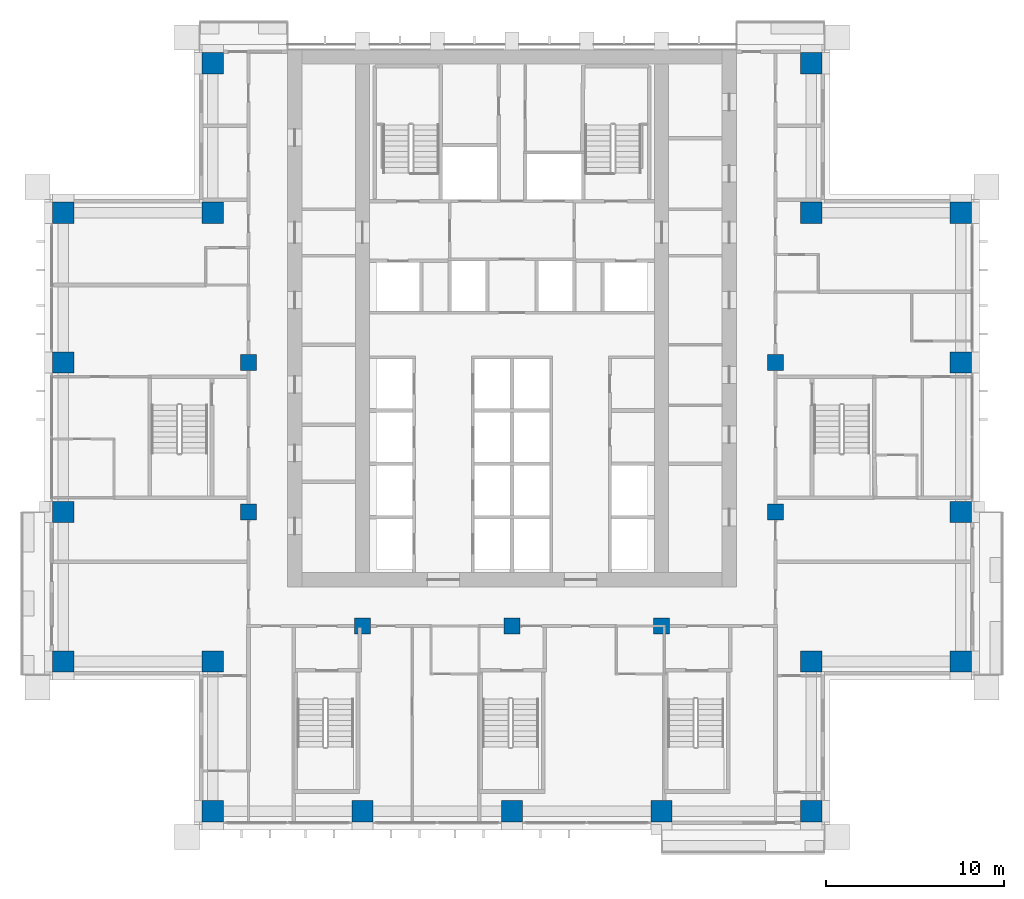
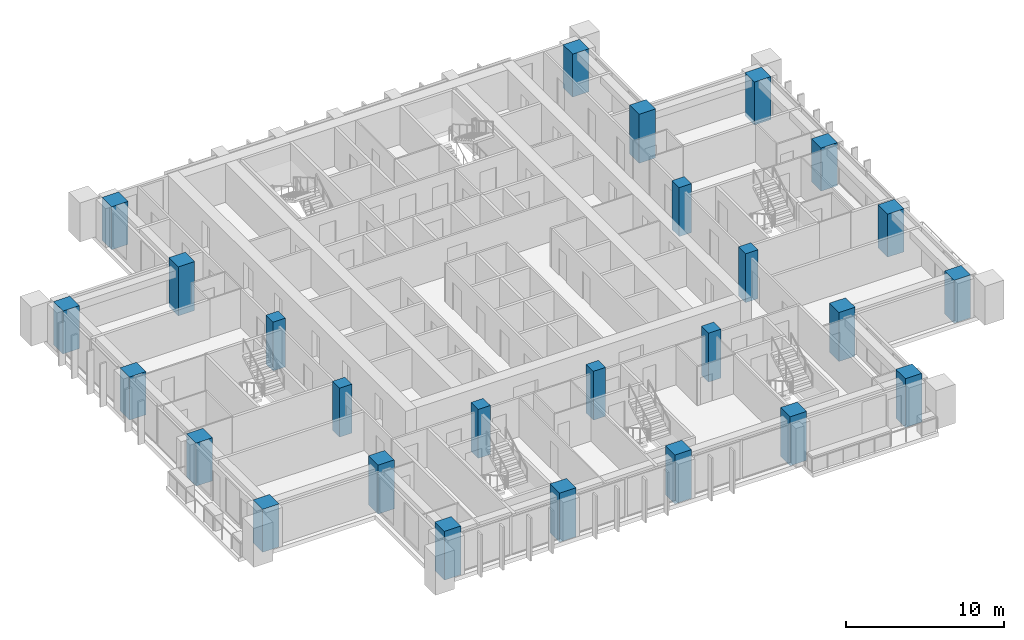
# One storey, part 1 of 21: 26 columns.
"""IFC4 building model written with IfcOpenShell, lengths in metres."""

from ifc_helpers import new_model, si_unit, direction, frame, origin, origin_2d, place, context, subcontext, project, spatial, rectangle, extrude, material, material_profile, profile_set, type_object, element, save


model = new_model("IFC4")

# Units and contexts
model_context = context("Model", 3, precision=1e-05, world=origin(), true_north=direction((0.0, 1.0)))
body_context = subcontext(model_context, "Body", "Model", "MODEL_VIEW")
ifc_project = project(units=[si_unit("LENGTHUNIT", "METRE"), si_unit("AREAUNIT", "SQUARE_METRE"), si_unit("VOLUMEUNIT", "CUBIC_METRE"), si_unit("PLANEANGLEUNIT", "RADIAN"), si_unit("MASSUNIT", "GRAM", prefix="KILO")], contexts=[model_context])

# Site, building, storey
site_placement = place(None, origin())
site = spatial("IfcSite", under=ifc_project, at=site_placement, CompositionType="ELEMENT")
building_placement = place(site_placement, origin())
building = spatial("IfcBuilding", under=site, at=building_placement, Name="Vermilion Ogive Tower", CompositionType="ELEMENT")
storey_placement = place(building_placement, frame((0.0, 0.0, 118.35009765625)))
storey = spatial("IfcBuildingStorey", under=building, at=storey_placement, Name="L30", CompositionType="ELEMENT", Elevation=118.35009765625)

# Columns
ifc_material_1 = material(Name="Concrete B80", Category="concrete")
ifc_material_profile_1 = material_profile(ifc_material_1, rectangle(XDim=1.199951171875, YDim=1.199951171875, at=origin_2d()), Name="1200 x 1200")
ifc_profile_set_1 = profile_set([ifc_material_profile_1], Name="Concrete B80")
column_type_1 = type_object("IfcColumnType", Name="Perimeter column 1200 x 1200 B80", PredefinedType="COLUMN", material=ifc_profile_set_1)
for number, where, z_axis, x_axis, name in (
    (1, (-16.800048828125, -21.0, -0.320068359375), (0.0, 0.0, 1.0), (1.0, 0.0, 0.0), "COL-L30-P-0168-210"),
    (2, (-8.39990234375, -21.0, -0.320068359375), (0.0, 0.0, 1.0), (1.0, 0.0, 0.0), "COL-L30-P-0084-210"),
    (3, (0.0, -21.0, -0.320068359375), (0.0, 0.0, 1.0), (1.0, 0.0, 0.0), "COL-L30-P+0000-210"),
    (4, (8.39990234375, -21.0, -0.320068359375), (0.0, 0.0, 1.0), (1.0, 0.0, 0.0), "COL-L30-P+0084-210"),
    (5, (16.800048828125, -21.0, -0.320068359375), (0.0, 0.0, 1.0), (1.0, 0.0, 0.0), "COL-L30-P+0168-210"),
):
    element("IfcColumn", number, at=place(storey_placement, frame(where, z_axis=z_axis, x_axis=x_axis)), inside=storey, type_object=column_type_1, Name=name, PredefinedType="COLUMN", context=body_context, shape_type="SweptSolid", body=[
        extrude(rectangle(XDim=1.199951171875, YDim=1.199951171875, at=origin_2d()), origin(), (0.0, 0.0, 1.0), 3.77001953125),
    ])
column_placement = place(storey_placement, frame((-25.199951171875, -12.60009765625, -0.320068359375), z_axis=(0.0, 0.0, 1.0), x_axis=(1.0, 0.0, 0.0)))
element("IfcColumn", 6, at=column_placement, inside=storey, type_object=column_type_1, Name="COL-L30-P-0252-126", PredefinedType="COLUMN", context=body_context, shape_type="SweptSolid", body=[
    extrude(rectangle(XDim=1.199951171875, YDim=1.199951171875, at=origin_2d()), origin(), (0.0, 0.0, 1.0), 3.320068359375),
])
for number, where, z_axis, x_axis, name in (
    (7, (-16.800048828125, -12.60009765625, -0.320068359375), (0.0, 0.0, 1.0), (1.0, 0.0, 0.0), "COL-L30-P-0168-126"),
    (8, (16.800048828125, -12.60009765625, -0.320068359375), (0.0, 0.0, 1.0), (1.0, 0.0, 0.0), "COL-L30-P+0168-126"),
):
    element("IfcColumn", number, at=place(storey_placement, frame(where, z_axis=z_axis, x_axis=x_axis)), inside=storey, type_object=column_type_1, Name=name, PredefinedType="COLUMN", context=body_context, shape_type="SweptSolid", body=[
        extrude(rectangle(XDim=1.199951171875, YDim=1.199951171875, at=origin_2d()), origin(), (0.0, 0.0, 1.0), 3.77001953125),
    ])
for number, where, z_axis, x_axis, name in (
    (9, (25.199951171875, -12.60009765625, -0.320068359375), (0.0, 0.0, 1.0), (1.0, 0.0, 0.0), "COL-L30-P+0252-126"),
    (10, (-25.199951171875, -4.199951171875, -0.320068359375), (0.0, 0.0, 1.0), (1.0, 0.0, 0.0), "COL-L30-P-0252-042"),
    (11, (25.199951171875, -4.199951171875, -0.320068359375), (0.0, 0.0, 1.0), (1.0, 0.0, 0.0), "COL-L30-P+0252-042"),
    (12, (-25.199951171875, 4.199951171875, -0.320068359375), (0.0, 0.0, 1.0), (1.0, 0.0, 0.0), "COL-L30-P-0252+042"),
    (13, (25.199951171875, 4.199951171875, -0.320068359375), (0.0, 0.0, 1.0), (1.0, 0.0, 0.0), "COL-L30-P+0252+042"),
    (14, (-25.199951171875, 12.60009765625, -0.320068359375), (0.0, 0.0, 1.0), (1.0, 0.0, 0.0), "COL-L30-P-0252+126"),
):
    element("IfcColumn", number, at=place(storey_placement, frame(where, z_axis=z_axis, x_axis=x_axis)), inside=storey, type_object=column_type_1, Name=name, PredefinedType="COLUMN", context=body_context, shape_type="SweptSolid", body=[
        extrude(rectangle(XDim=1.199951171875, YDim=1.199951171875, at=origin_2d()), origin(), (0.0, 0.0, 1.0), 3.320068359375),
    ])
for number, where, z_axis, x_axis, name in (
    (15, (-16.800048828125, 12.60009765625, -0.320068359375), (0.0, 0.0, 1.0), (1.0, 0.0, 0.0), "COL-L30-P-0168+126"),
    (16, (16.800048828125, 12.60009765625, -0.320068359375), (0.0, 0.0, 1.0), (1.0, 0.0, 0.0), "COL-L30-P+0168+126"),
):
    element("IfcColumn", number, at=place(storey_placement, frame(where, z_axis=z_axis, x_axis=x_axis)), inside=storey, type_object=column_type_1, Name=name, PredefinedType="COLUMN", context=body_context, shape_type="SweptSolid", body=[
        extrude(rectangle(XDim=1.199951171875, YDim=1.199951171875, at=origin_2d()), origin(), (0.0, 0.0, 1.0), 3.77001953125),
    ])
for number, where, z_axis, x_axis, name in (
    (17, (25.199951171875, 12.60009765625, -0.320068359375), (0.0, 0.0, 1.0), (1.0, 0.0, 0.0), "COL-L30-P+0252+126"),
    (18, (-16.800048828125, 21.0, -0.320068359375), (0.0, 0.0, 1.0), (1.0, 0.0, 0.0), "COL-L30-P-0168+210"),
    (19, (16.800048828125, 21.0, -0.320068359375), (0.0, 0.0, 1.0), (1.0, 0.0, 0.0), "COL-L30-P+0168+210"),
):
    element("IfcColumn", number, at=place(storey_placement, frame(where, z_axis=z_axis, x_axis=x_axis)), inside=storey, type_object=column_type_1, Name=name, PredefinedType="COLUMN", context=body_context, shape_type="SweptSolid", body=[
        extrude(rectangle(XDim=1.199951171875, YDim=1.199951171875, at=origin_2d()), origin(), (0.0, 0.0, 1.0), 3.320068359375),
    ])
ifc_material_2 = material(Name="Concrete B80", Category="concrete")
ifc_material_profile_2 = material_profile(ifc_material_2, rectangle(XDim=0.89990234375, YDim=0.89990234375, at=origin_2d()), Name="900 x 900")
ifc_profile_set_2 = profile_set([ifc_material_profile_2], Name="Concrete B80")
column_type_2 = type_object("IfcColumnType", Name="Ring column 900 x 900 B80", PredefinedType="COLUMN", material=ifc_profile_set_2)
for number, where, z_axis, x_axis, name in (
    (20, (-8.39990234375, -10.60009765625, -0.320068359375), (0.0, 0.0, 1.0), (1.0, 0.0, 0.0), "COL-L30-R-0084-106"),
    (21, (0.0, -10.60009765625, -0.320068359375), (0.0, 0.0, 1.0), (1.0, 0.0, 0.0), "COL-L30-R+0000-106"),
    (22, (8.39990234375, -10.60009765625, -0.320068359375), (0.0, 0.0, 1.0), (1.0, 0.0, 0.0), "COL-L30-R+0084-106"),
    (23, (-14.800048828125, -4.199951171875, -0.320068359375), (0.0, 0.0, 1.0), (1.0, 0.0, 0.0), "COL-L30-R-0148-042"),
    (24, (14.800048828125, -4.199951171875, -0.320068359375), (0.0, 0.0, 1.0), (1.0, 0.0, 0.0), "COL-L30-R+0148-042"),
    (25, (-14.800048828125, 4.199951171875, -0.320068359375), (0.0, 0.0, 1.0), (1.0, 0.0, 0.0), "COL-L30-R-0148+042"),
    (26, (14.800048828125, 4.199951171875, -0.320068359375), (0.0, 0.0, 1.0), (1.0, 0.0, 0.0), "COL-L30-R+0148+042"),
):
    element("IfcColumn", number, at=place(storey_placement, frame(where, z_axis=z_axis, x_axis=x_axis)), inside=storey, type_object=column_type_2, Name=name, PredefinedType="COLUMN", context=body_context, shape_type="SweptSolid", body=[
        extrude(rectangle(XDim=0.89990234375, YDim=0.89990234375, at=origin_2d()), origin(), (0.0, 0.0, 1.0), 3.77001953125),
    ])

save(model, "model.ifc")
